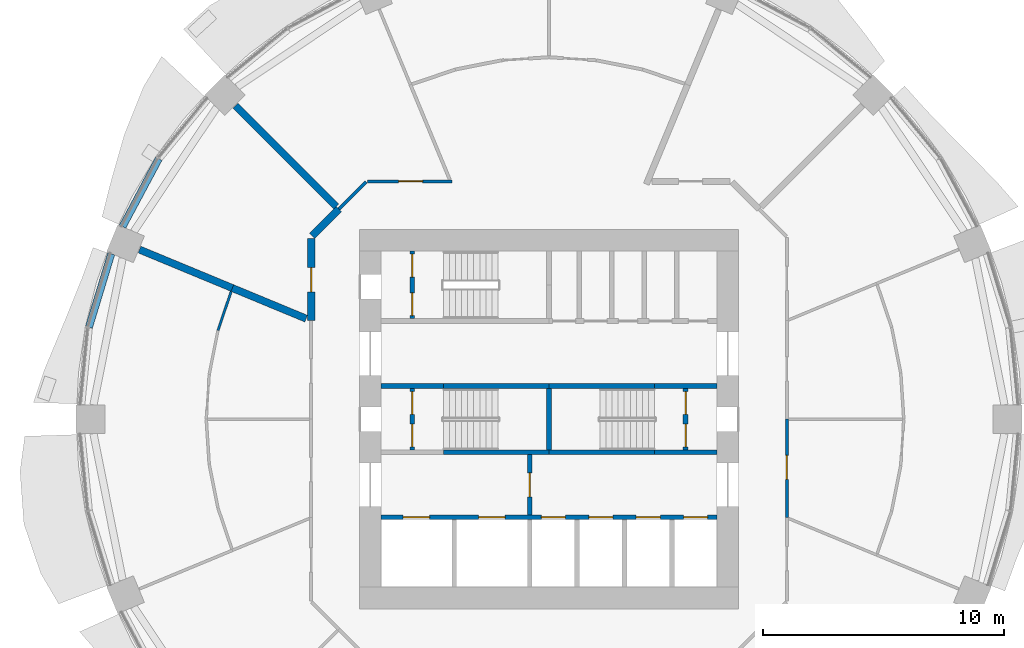
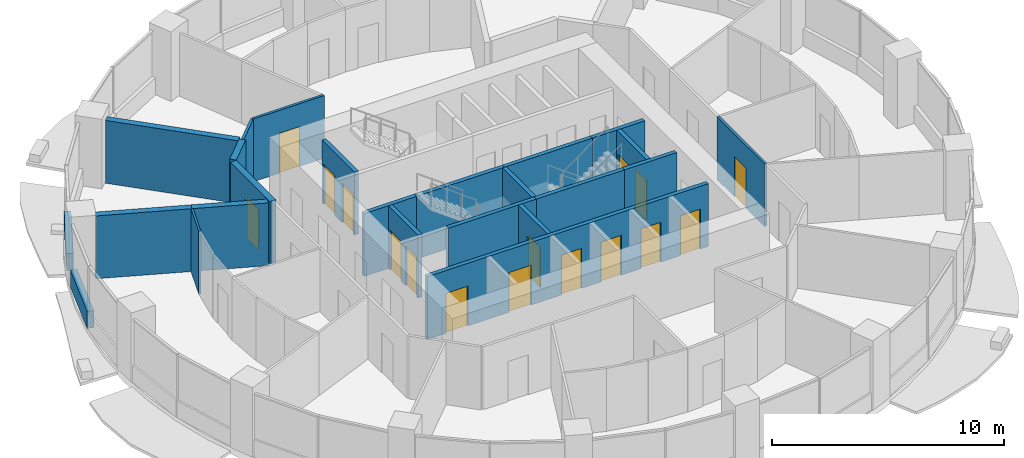
# One storey, part 9 of 15: 24 walls, 16 doors, 16 openings.
"""IFC4 building model written with IfcOpenShell, lengths in metres."""

from ifc_helpers import new_model, si_unit, direction, frame, frame_2d, origin, place, context, subcontext, project, spatial, rectangle, extrude, material, layer, layer_set, type_object, element, fill, save


model = new_model("IFC4")

# Units and contexts
model_context = context("Model", 3, precision=1e-05, world=origin(), true_north=direction((0.0, 1.0)))
body_context = subcontext(model_context, "Body", "Model", "MODEL_VIEW")
ifc_project = project(units=[si_unit("LENGTHUNIT", "METRE"), si_unit("AREAUNIT", "SQUARE_METRE"), si_unit("VOLUMEUNIT", "CUBIC_METRE"), si_unit("PLANEANGLEUNIT", "RADIAN"), si_unit("MASSUNIT", "GRAM", prefix="KILO")], contexts=[model_context])

# Site, building, storey
site_placement = place(None, origin())
site = spatial("IfcSite", under=ifc_project, at=site_placement, CompositionType="ELEMENT")
building_placement = place(site_placement, origin())
building = spatial("IfcBuilding", under=site, at=building_placement, Name="Polderwave Tower", CompositionType="ELEMENT")
storey_placement = place(building_placement, frame((0.0, 0.0, 51.75)))
storey = spatial("IfcBuildingStorey", under=building, at=storey_placement, Name="L13", CompositionType="ELEMENT", Elevation=51.75)

# Wall, opening, door
ifc_material_1 = material(Name="Insulated sandwich panel")
ifc_layer_1 = layer(ifc_material_1, 0.300048828125)
ifc_layer_set_1 = layer_set([ifc_layer_1], Name="Cold room wall 300 mm insulated panel")
wall_type_1 = type_object("IfcWallType", Name="Cold room wall 300 mm insulated panel", PredefinedType="PARTITIONING", material=ifc_layer_set_1)
wall_1_placement = place(storey_placement, frame((-9.8740234375, 4.08984375, 0.0), z_axis=(0.0, 0.0, 1.0), x_axis=(0.0, 1.0, 0.0)))
wall_1 = element("IfcWall", 1, at=wall_1_placement, inside=storey, type_object=wall_type_1, Name="IN-L13-W011", PredefinedType="PARTITIONING", context=body_context, shape_type="SweptSolid", body=[
    extrude(rectangle(XDim=3.419189453125, YDim=0.300048828125, at=frame_2d((1.70947265625, 0.0))), origin(), (0.0, 0.0, 1.0), 3.300048828125),
])
opening_1_placement = place(wall_1_placement, frame((1.199951171875, 0.0, 0.0)))
opening_1 = element("IfcOpeningElement", 2, at=opening_1_placement, cuts=wall_1, Name="Opening L13-D56", PredefinedType="OPENING", context=body_context, shape_type="SweptSolid", body=[
    extrude(rectangle(XDim=1.0, YDim=2.10009765625, at=frame_2d((0.5, 1.050048828125))), frame((0.0, 0.159912109375, 0.0), z_axis=(0.0, -1.0, 0.0), x_axis=(1.0, 0.0, 0.0)), (0.0, 0.0, 1.0), 0.320068359375),
])
ifc_material_2 = material(Name="Steel plant door leaf", Category="steel")
door_type_1 = type_object("IfcDoorType", Name="Plant door FD60 1000 x 2100 steel", OperationType="NOTDEFINED", PredefinedType="DOOR", material=ifc_material_2)
door_1_placement = place(opening_1_placement, origin())
door_1 = element("IfcDoor", 3, at=door_1_placement, inside=storey, type_object=door_type_1, Name="Door L13-D56", OperationType="SINGLE_SWING_LEFT", OverallHeight=2.10009765625, OverallWidth=1.0, PredefinedType="DOOR", context=body_context, shape_type="SweptSolid", body=[
    extrude(rectangle(XDim=1.0, YDim=2.10009765625, at=frame_2d((0.5, 1.050048828125))), frame((0.0, 0.02490234375, 0.0), z_axis=(0.0, -1.0, 0.0), x_axis=(1.0, 0.0, 0.0)), (0.0, 0.0, 1.0), 0.050048828125),
])
fill(opening_1, door_1)

# Walls
wall_2_placement = place(storey_placement, frame((-9.830078125, 7.614990234375, 0.0), z_axis=(0.0, 0.0, 1.0), x_axis=(0.70718471217, 0.707028841614, 0.0)))
element("IfcWall", 4, at=wall_2_placement, inside=storey, type_object=wall_type_1, Name="IN-L13-W012", PredefinedType="PARTITIONING", context=body_context, shape_type="SweptSolid", body=[
    extrude(rectangle(XDim=1.56640625, YDim=0.300048828125, at=frame_2d((0.783203125, 0.0))), origin(), (0.0, 0.0, 1.0), 3.300048828125),
])
wall_3_placement = place(storey_placement, frame((-8.82861328125, 8.82861328125, 0.0), z_axis=(0.0, 0.0, 1.0), x_axis=(-0.707106781187, 0.707106781187, 0.0)))
element("IfcWall", 5, at=wall_3_placement, inside=storey, type_object=wall_type_1, Name="IN-L13-W044", PredefinedType="PARTITIONING", context=body_context, shape_type="SweptSolid", body=[
    extrude(rectangle(XDim=5.914306640625, YDim=0.300048828125, at=frame_2d((2.95703125, 0.0))), origin(), (0.0, 0.0, 1.0), 3.300048828125),
])
wall_4_placement = place(storey_placement, frame((-10.081298828125, 4.17578125, 0.0), z_axis=(0.0, 0.0, 1.0), x_axis=(-0.923876033225, 0.382691880281, 0.0)))
element("IfcWall", 6, at=wall_4_placement, inside=storey, type_object=wall_type_1, Name="IN-L13-W045", PredefinedType="PARTITIONING", context=body_context, shape_type="SweptSolid", body=[
    extrude(rectangle(XDim=3.318115234375, YDim=0.300048828125, at=frame_2d((1.6591796875, 0.0))), origin(), (0.0, 0.0, 1.0), 3.300048828125),
])
wall_5_placement = place(storey_placement, frame((-13.146728515625, 5.445556640625, 0.0), z_axis=(0.0, 0.0, 1.0), x_axis=(-0.923873410436, 0.382698212028, 0.0)))
element("IfcWall", 7, at=wall_5_placement, inside=storey, type_object=wall_type_1, Name="IN-L13-W046", PredefinedType="PARTITIONING", context=body_context, shape_type="SweptSolid", body=[
    extrude(rectangle(XDim=4.170166015625, YDim=0.300048828125, at=frame_2d((2.0849609375, 0.0))), origin(), (0.0, 0.0, 1.0), 3.300048828125),
])
ifc_material_3 = material(Name="Concrete C50/60 (board-marked)", Category="concrete")
ifc_layer_2 = layer(ifc_material_3, 0.300048828125)
ifc_layer_set_2 = layer_set([ifc_layer_2], Name="Concrete spandrel upstand C50/60")
wall_type_2 = type_object("IfcWallType", Name="Concrete spandrel upstand C50/60", PredefinedType="SOLIDWALL", material=ifc_layer_set_2)
wall_6_placement = place(storey_placement, frame((-16.2041015625, 10.808837890625, 0.0), z_axis=(0.0, 0.0, 1.0), x_axis=(-0.471260138764, -0.881994263934, 0.0)))
element("IfcWall", 8, at=wall_6_placement, inside=storey, type_object=wall_type_2, Name="Spandrel L13 7b", PredefinedType="SOLIDWALL", context=body_context, shape_type="SweptSolid", body=[
    extrude(rectangle(XDim=3.1865234375, YDim=0.300048828125, at=frame_2d((1.59326171875, 0.0))), origin(), (0.0, 0.0, 1.0), 0.89990234375),
])
wall_7_placement = place(storey_placement, frame((-18.17529296875, 6.864501953125, 0.0), z_axis=(0.0, 0.0, 1.0), x_axis=(-0.290585541792, -0.956849017819, 0.0)))
element("IfcWall", 9, at=wall_7_placement, inside=storey, type_object=wall_type_2, Name="Spandrel L13 8a", PredefinedType="SOLIDWALL", context=body_context, shape_type="SweptSolid", body=[
    extrude(rectangle(XDim=3.1875, YDim=0.300048828125, at=frame_2d((1.59375, 0.0))), origin(), (0.0, 0.0, 1.0), 0.89990234375),
])

# Wall, opening, door
ifc_material_4 = material(Name="Gypsum board partition")
ifc_layer_3 = layer(ifc_material_4, 0.199951171875)
ifc_layer_set_3 = layer_set([ifc_layer_3], Name="Core room partition 200")
wall_type_3 = type_object("IfcWallType", Name="Core room partition 200", PredefinedType="PARTITIONING", material=ifc_layer_set_3)
wall_8_placement = place(storey_placement, frame((-0.800048828125, -3.97412109375, 0.0), z_axis=(0.0, 0.0, 1.0), x_axis=(0.0, 1.0, 0.0)))
wall_8 = element("IfcWall", 10, at=wall_8_placement, inside=storey, type_object=wall_type_3, Name="L13 fire-fighting lobby wall", PredefinedType="PARTITIONING", context=body_context, shape_type="SweptSolid", body=[
    extrude(rectangle(XDim=2.4990234375, YDim=0.199951171875, at=frame_2d((1.24951171875, 0.0))), origin(), (0.0, 0.0, 1.0), 3.300048828125),
])
opening_2_placement = place(wall_8_placement, frame((0.74951171875, 0.0, 0.0)))
opening_2 = element("IfcOpeningElement", 11, at=opening_2_placement, cuts=wall_8, Name="Opening L13-D13", PredefinedType="OPENING", context=body_context, shape_type="SweptSolid", body=[
    extrude(rectangle(XDim=1.0, YDim=2.10009765625, at=frame_2d((0.5, 1.050048828125))), frame((0.0, 0.10986328125, 0.0), z_axis=(0.0, -1.0, 0.0), x_axis=(1.0, 0.0, 0.0)), (0.0, 0.0, 1.0), 0.219970703125),
])
ifc_material_5 = material(Name="Steel fire door", Category="steel")
door_type_2 = type_object("IfcDoorType", Name="Lobby fire door 1000", OperationType="NOTDEFINED", PredefinedType="DOOR", material=ifc_material_5)
door_2_placement = place(opening_2_placement, frame((1.0, 0.0, 0.0), z_axis=(0.0, 0.0, 1.0), x_axis=(-1.0, 0.0, 0.0)))
door_2 = element("IfcDoor", 12, at=door_2_placement, inside=storey, type_object=door_type_2, Name="Fire-fighting lobby door", OperationType="SINGLE_SWING_LEFT", OverallHeight=2.10009765625, OverallWidth=1.0, PredefinedType="DOOR", context=body_context, shape_type="SweptSolid", body=[
    extrude(rectangle(XDim=1.0, YDim=2.10009765625, at=frame_2d((0.5, 1.050048828125))), frame((0.0, 0.02490234375, 0.0), z_axis=(0.0, -1.0, 0.0), x_axis=(1.0, 0.0, 0.0)), (0.0, 0.0, 1.0), 0.050048828125),
])
fill(opening_2, door_2)

# Wall, openings, doors
wall_9_placement = place(storey_placement, frame((-5.674072265625, -1.27490234375, 0.0), z_axis=(0.0, 0.0, 1.0), x_axis=(0.0, 1.0, 0.0)))
wall_9 = element("IfcWall", 13, at=wall_9_placement, inside=storey, type_object=wall_type_3, Name="L13 smoke lobby wall A", PredefinedType="PARTITIONING", context=body_context, shape_type="SweptSolid", body=[
    extrude(rectangle(XDim=2.5498046875, YDim=0.199951171875, at=frame_2d((1.27490234375, 0.0))), origin(), (0.0, 0.0, 1.0), 3.300048828125),
])
opening_3_placement = place(wall_9_placement, frame((0.125, 0.0, 0.0)))
opening_3 = element("IfcOpeningElement", 14, at=opening_3_placement, cuts=wall_9, Name="Opening L13-D07", PredefinedType="OPENING", context=body_context, shape_type="SweptSolid", body=[
    extrude(rectangle(XDim=0.949951171875, YDim=2.10009765625, at=frame_2d((0.47509765625, 1.050048828125))), frame((0.0, 0.10986328125, 0.0), z_axis=(0.0, -1.0, 0.0), x_axis=(1.0, 0.0, 0.0)), (0.0, 0.0, 1.0), 0.219970703125),
])
opening_4_placement = place(wall_9_placement, frame((1.47509765625, 0.0, 0.0)))
opening_4 = element("IfcOpeningElement", 15, at=opening_4_placement, cuts=wall_9, Name="Opening L13-D08", PredefinedType="OPENING", context=body_context, shape_type="SweptSolid", body=[
    extrude(rectangle(XDim=0.949951171875, YDim=2.10009765625, at=frame_2d((0.47509765625, 1.050048828125))), frame((0.0, 0.10986328125, 0.0), z_axis=(0.0, -1.0, 0.0), x_axis=(1.0, 0.0, 0.0)), (0.0, 0.0, 1.0), 0.219970703125),
])
door_type_3 = type_object("IfcDoorType", Name="Smoke lobby door 950", OperationType="NOTDEFINED", PredefinedType="DOOR", material=ifc_material_5)
door_3_placement = place(opening_3_placement, origin())
door_3 = element("IfcDoor", 16, at=door_3_placement, inside=storey, type_object=door_type_3, Name="Stair A smoke lobby inner door", OperationType="SINGLE_SWING_LEFT", OverallHeight=2.10009765625, OverallWidth=0.949951171875, PredefinedType="DOOR", context=body_context, shape_type="SweptSolid", body=[
    extrude(rectangle(XDim=0.949951171875, YDim=2.10009765625, at=frame_2d((0.47509765625, 1.050048828125))), frame((0.0, 0.02490234375, 0.0), z_axis=(0.0, -1.0, 0.0), x_axis=(1.0, 0.0, 0.0)), (0.0, 0.0, 1.0), 0.050048828125),
])
fill(opening_3, door_3)
door_4_placement = place(opening_4_placement, origin())
door_4 = element("IfcDoor", 17, at=door_4_placement, inside=storey, type_object=door_type_3, Name="Stair A smoke lobby inner door", OperationType="SINGLE_SWING_RIGHT", OverallHeight=2.10009765625, OverallWidth=0.949951171875, PredefinedType="DOOR", context=body_context, shape_type="SweptSolid", body=[
    extrude(rectangle(XDim=0.949951171875, YDim=2.10009765625, at=frame_2d((0.47509765625, 1.050048828125))), frame((0.0, 0.02490234375, 0.0), z_axis=(0.0, -1.0, 0.0), x_axis=(1.0, 0.0, 0.0)), (0.0, 0.0, 1.0), 0.050048828125),
])
fill(opening_4, door_4)

wall_10_placement = place(storey_placement, frame((5.674072265625, -1.27490234375, 0.0), z_axis=(0.0, 0.0, 1.0), x_axis=(0.0, 1.0, 0.0)))
wall_10 = element("IfcWall", 18, at=wall_10_placement, inside=storey, type_object=wall_type_3, Name="L13 smoke lobby wall B", PredefinedType="PARTITIONING", context=body_context, shape_type="SweptSolid", body=[
    extrude(rectangle(XDim=2.5498046875, YDim=0.199951171875, at=frame_2d((1.27490234375, 0.0))), origin(), (0.0, 0.0, 1.0), 3.300048828125),
])
opening_5_placement = place(wall_10_placement, frame((0.125, 0.0, 0.0)))
opening_5 = element("IfcOpeningElement", 19, at=opening_5_placement, cuts=wall_10, Name="Opening L13-D09", PredefinedType="OPENING", context=body_context, shape_type="SweptSolid", body=[
    extrude(rectangle(XDim=0.949951171875, YDim=2.10009765625, at=frame_2d((0.47509765625, 1.050048828125))), frame((0.0, 0.10986328125, 0.0), z_axis=(0.0, -1.0, 0.0), x_axis=(1.0, 0.0, 0.0)), (0.0, 0.0, 1.0), 0.219970703125),
])
opening_6_placement = place(wall_10_placement, frame((1.47509765625, 0.0, 0.0)))
opening_6 = element("IfcOpeningElement", 20, at=opening_6_placement, cuts=wall_10, Name="Opening L13-D10", PredefinedType="OPENING", context=body_context, shape_type="SweptSolid", body=[
    extrude(rectangle(XDim=0.949951171875, YDim=2.10009765625, at=frame_2d((0.47509765625, 1.050048828125))), frame((0.0, 0.10986328125, 0.0), z_axis=(0.0, -1.0, 0.0), x_axis=(1.0, 0.0, 0.0)), (0.0, 0.0, 1.0), 0.219970703125),
])
door_5_placement = place(opening_5_placement, frame((0.949951171875, 0.0, 0.0), z_axis=(0.0, 0.0, 1.0), x_axis=(-1.0, 0.0, 0.0)))
door_5 = element("IfcDoor", 21, at=door_5_placement, inside=storey, type_object=door_type_3, Name="Stair B smoke lobby inner door", OperationType="SINGLE_SWING_RIGHT", OverallHeight=2.10009765625, OverallWidth=0.949951171875, PredefinedType="DOOR", context=body_context, shape_type="SweptSolid", body=[
    extrude(rectangle(XDim=0.949951171875, YDim=2.10009765625, at=frame_2d((0.47509765625, 1.050048828125))), frame((0.0, 0.02490234375, 0.0), z_axis=(0.0, -1.0, 0.0), x_axis=(1.0, 0.0, 0.0)), (0.0, 0.0, 1.0), 0.050048828125),
])
fill(opening_5, door_5)
door_6_placement = place(opening_6_placement, frame((0.949951171875, 0.0, 0.0), z_axis=(0.0, 0.0, 1.0), x_axis=(-1.0, 0.0, 0.0)))
door_6 = element("IfcDoor", 22, at=door_6_placement, inside=storey, type_object=door_type_3, Name="Stair B smoke lobby inner door", OperationType="SINGLE_SWING_LEFT", OverallHeight=2.10009765625, OverallWidth=0.949951171875, PredefinedType="DOOR", context=body_context, shape_type="SweptSolid", body=[
    extrude(rectangle(XDim=0.949951171875, YDim=2.10009765625, at=frame_2d((0.47509765625, 1.050048828125))), frame((0.0, 0.02490234375, 0.0), z_axis=(0.0, -1.0, 0.0), x_axis=(1.0, 0.0, 0.0)), (0.0, 0.0, 1.0), 0.050048828125),
])
fill(opening_6, door_6)

wall_11_placement = place(storey_placement, frame((-5.674072265625, 4.174072265625, 0.0), z_axis=(0.0, 0.0, 1.0), x_axis=(0.0, 1.0, 0.0)))
wall_11 = element("IfcWall", 23, at=wall_11_placement, inside=storey, type_object=wall_type_3, Name="L13 smoke lobby wall C", PredefinedType="PARTITIONING", context=body_context, shape_type="SweptSolid", body=[
    extrude(rectangle(XDim=2.800048828125, YDim=0.199951171875, at=frame_2d((1.39990234375, 0.0))), origin(), (0.0, 0.0, 1.0), 3.300048828125),
])
opening_7_placement = place(wall_11_placement, frame((0.125, 0.0, 0.0)))
opening_7 = element("IfcOpeningElement", 24, at=opening_7_placement, cuts=wall_11, Name="Opening L13-D11", PredefinedType="OPENING", context=body_context, shape_type="SweptSolid", body=[
    extrude(rectangle(XDim=0.949951171875, YDim=2.10009765625, at=frame_2d((0.47509765625, 1.050048828125))), frame((0.0, 0.10986328125, 0.0), z_axis=(0.0, -1.0, 0.0), x_axis=(1.0, 0.0, 0.0)), (0.0, 0.0, 1.0), 0.219970703125),
])
opening_8_placement = place(wall_11_placement, frame((1.72509765625, 0.0, 0.0)))
opening_8 = element("IfcOpeningElement", 25, at=opening_8_placement, cuts=wall_11, Name="Opening L13-D12", PredefinedType="OPENING", context=body_context, shape_type="SweptSolid", body=[
    extrude(rectangle(XDim=0.949951171875, YDim=2.10009765625, at=frame_2d((0.47509765625, 1.050048828125))), frame((0.0, 0.10986328125, 0.0), z_axis=(0.0, -1.0, 0.0), x_axis=(1.0, 0.0, 0.0)), (0.0, 0.0, 1.0), 0.219970703125),
])
door_7_placement = place(opening_7_placement, origin())
door_7 = element("IfcDoor", 26, at=door_7_placement, inside=storey, type_object=door_type_3, Name="Stair C smoke lobby inner door", OperationType="SINGLE_SWING_LEFT", OverallHeight=2.10009765625, OverallWidth=0.949951171875, PredefinedType="DOOR", context=body_context, shape_type="SweptSolid", body=[
    extrude(rectangle(XDim=0.949951171875, YDim=2.10009765625, at=frame_2d((0.47509765625, 1.050048828125))), frame((0.0, 0.02490234375, 0.0), z_axis=(0.0, -1.0, 0.0), x_axis=(1.0, 0.0, 0.0)), (0.0, 0.0, 1.0), 0.050048828125),
])
fill(opening_7, door_7)
door_8_placement = place(opening_8_placement, origin())
door_8 = element("IfcDoor", 27, at=door_8_placement, inside=storey, type_object=door_type_3, Name="Stair C smoke lobby inner door", OperationType="SINGLE_SWING_RIGHT", OverallHeight=2.10009765625, OverallWidth=0.949951171875, PredefinedType="DOOR", context=body_context, shape_type="SweptSolid", body=[
    extrude(rectangle(XDim=0.949951171875, YDim=2.10009765625, at=frame_2d((0.47509765625, 1.050048828125))), frame((0.0, 0.02490234375, 0.0), z_axis=(0.0, -1.0, 0.0), x_axis=(1.0, 0.0, 0.0)), (0.0, 0.0, 1.0), 0.050048828125),
])
fill(opening_8, door_8)

ifc_material_6 = material(Name="Concrete C50/60", Category="concrete")
ifc_layer_4 = layer(ifc_material_6, 0.199951171875)
ifc_layer_set_4 = layer_set([ifc_layer_4], Name="Core web wall 200")
wall_type_4 = type_object("IfcWallType", Name="Core web wall 200", PredefinedType="SHEAR", material=ifc_layer_set_4)
wall_12_placement = place(storey_placement, frame((-6.97412109375, -4.073974609375, 0.0), z_axis=(0.0, 0.0, 1.0), x_axis=(1.0, 0.0, 0.0)))
wall_12 = element("IfcWall", 28, at=wall_12_placement, inside=storey, type_object=wall_type_4, Name="L13 south front wall", PredefinedType="SHEAR", context=body_context, shape_type="SweptSolid", body=[
    extrude(rectangle(XDim=13.9482421875, YDim=0.199951171875, at=frame_2d((6.97412109375, 0.0))), origin(), (0.0, 0.0, 1.0), 3.300048828125),
])
opening_9_placement = place(wall_12_placement, frame((0.91845703125, 0.0, 0.0)))
opening_9 = element("IfcOpeningElement", 29, at=opening_9_placement, cuts=wall_12, Name="Opening L13-D01", PredefinedType="OPENING", context=body_context, shape_type="SweptSolid", body=[
    extrude(rectangle(XDim=1.10009765625, YDim=2.10009765625, at=frame_2d((0.550048828125, 1.050048828125))), frame((0.0, 0.10986328125, 0.0), z_axis=(0.0, -1.0, 0.0), x_axis=(1.0, 0.0, 0.0)), (0.0, 0.0, 1.0), 0.219970703125),
])
opening_10_placement = place(wall_12_placement, frame((4.055419921875, 0.0, 0.0)))
opening_10 = element("IfcOpeningElement", 30, at=opening_10_placement, cuts=wall_12, Name="Opening L13-D02", PredefinedType="OPENING", context=body_context, shape_type="SweptSolid", body=[
    extrude(rectangle(XDim=1.10009765625, YDim=2.10009765625, at=frame_2d((0.550048828125, 1.050048828125))), frame((0.0, 0.10986328125, 0.0), z_axis=(0.0, -1.0, 0.0), x_axis=(1.0, 0.0, 0.0)), (0.0, 0.0, 1.0), 0.219970703125),
])
opening_11_placement = place(wall_12_placement, frame((6.658203125, 0.0, 0.0)))
opening_11 = element("IfcOpeningElement", 31, at=opening_11_placement, cuts=wall_12, Name="Opening L13-D03", PredefinedType="OPENING", context=body_context, shape_type="SweptSolid", body=[
    extrude(rectangle(XDim=1.0, YDim=2.10009765625, at=frame_2d((0.5, 1.050048828125))), frame((0.0, 0.10986328125, 0.0), z_axis=(0.0, -1.0, 0.0), x_axis=(1.0, 0.0, 0.0)), (0.0, 0.0, 1.0), 0.219970703125),
])
opening_12_placement = place(wall_12_placement, frame((8.626708984375, 0.0, 0.0)))
opening_12 = element("IfcOpeningElement", 32, at=opening_12_placement, cuts=wall_12, Name="Opening L13-D04", PredefinedType="OPENING", context=body_context, shape_type="SweptSolid", body=[
    extrude(rectangle(XDim=1.0, YDim=2.10009765625, at=frame_2d((0.5, 1.050048828125))), frame((0.0, 0.10986328125, 0.0), z_axis=(0.0, -1.0, 0.0), x_axis=(1.0, 0.0, 0.0)), (0.0, 0.0, 1.0), 0.219970703125),
])
opening_13_placement = place(wall_12_placement, frame((10.59521484375, 0.0, 0.0)))
opening_13 = element("IfcOpeningElement", 33, at=opening_13_placement, cuts=wall_12, Name="Opening L13-D05", PredefinedType="OPENING", context=body_context, shape_type="SweptSolid", body=[
    extrude(rectangle(XDim=1.0, YDim=2.10009765625, at=frame_2d((0.5, 1.050048828125))), frame((0.0, 0.10986328125, 0.0), z_axis=(0.0, -1.0, 0.0), x_axis=(1.0, 0.0, 0.0)), (0.0, 0.0, 1.0), 0.219970703125),
])
opening_14_placement = place(wall_12_placement, frame((12.563720703125, 0.0, 0.0)))
opening_14 = element("IfcOpeningElement", 34, at=opening_14_placement, cuts=wall_12, Name="Opening L13-D06", PredefinedType="OPENING", context=body_context, shape_type="SweptSolid", body=[
    extrude(rectangle(XDim=1.0, YDim=2.10009765625, at=frame_2d((0.5, 1.050048828125))), frame((0.0, 0.10986328125, 0.0), z_axis=(0.0, -1.0, 0.0), x_axis=(1.0, 0.0, 0.0)), (0.0, 0.0, 1.0), 0.219970703125),
])
ifc_material_7 = material(Name="Stainless steel", Category="steel")
door_type_4 = type_object("IfcDoorType", Name="Fire-fighting lift landing door 1100", OperationType="DOUBLE_DOOR_SLIDING", PredefinedType="DOOR", material=ifc_material_7)
door_9_placement = place(opening_9_placement, origin())
door_9 = element("IfcDoor", 35, at=door_9_placement, inside=storey, type_object=door_type_4, Name="Fire-fighting lift FF1 landing door", OperationType="DOUBLE_DOOR_SLIDING", OverallHeight=2.10009765625, OverallWidth=1.10009765625, PredefinedType="DOOR", context=body_context, shape_type="SweptSolid", body=[
    extrude(rectangle(XDim=1.10009765625, YDim=2.10009765625, at=frame_2d((0.550048828125, 1.050048828125))), frame((0.0, 0.02490234375, 0.0), z_axis=(0.0, -1.0, 0.0), x_axis=(1.0, 0.0, 0.0)), (0.0, 0.0, 1.0), 0.050048828125),
])
fill(opening_9, door_9)
door_10_placement = place(opening_10_placement, origin())
door_10 = element("IfcDoor", 36, at=door_10_placement, inside=storey, type_object=door_type_4, Name="Fire-fighting lift FF2 landing door", OperationType="DOUBLE_DOOR_SLIDING", OverallHeight=2.10009765625, OverallWidth=1.10009765625, PredefinedType="DOOR", context=body_context, shape_type="SweptSolid", body=[
    extrude(rectangle(XDim=1.10009765625, YDim=2.10009765625, at=frame_2d((0.550048828125, 1.050048828125))), frame((0.0, 0.02490234375, 0.0), z_axis=(0.0, -1.0, 0.0), x_axis=(1.0, 0.0, 0.0)), (0.0, 0.0, 1.0), 0.050048828125),
])
fill(opening_10, door_10)
door_type_5 = type_object("IfcDoorType", Name="Lift landing door 1000", OperationType="DOUBLE_DOOR_SLIDING", PredefinedType="DOOR", material=ifc_material_7)
door_11_placement = place(opening_11_placement, origin())
door_11 = element("IfcDoor", 37, at=door_11_placement, inside=storey, type_object=door_type_5, Name="Lift LL1 landing door", OperationType="DOUBLE_DOOR_SLIDING", OverallHeight=2.10009765625, OverallWidth=1.0, PredefinedType="DOOR", context=body_context, shape_type="SweptSolid", body=[
    extrude(rectangle(XDim=1.0, YDim=2.10009765625, at=frame_2d((0.5, 1.050048828125))), frame((0.0, 0.02490234375, 0.0), z_axis=(0.0, -1.0, 0.0), x_axis=(1.0, 0.0, 0.0)), (0.0, 0.0, 1.0), 0.050048828125),
])
fill(opening_11, door_11)
door_12_placement = place(opening_12_placement, origin())
door_12 = element("IfcDoor", 38, at=door_12_placement, inside=storey, type_object=door_type_5, Name="Lift LL2 landing door", OperationType="DOUBLE_DOOR_SLIDING", OverallHeight=2.10009765625, OverallWidth=1.0, PredefinedType="DOOR", context=body_context, shape_type="SweptSolid", body=[
    extrude(rectangle(XDim=1.0, YDim=2.10009765625, at=frame_2d((0.5, 1.050048828125))), frame((0.0, 0.02490234375, 0.0), z_axis=(0.0, -1.0, 0.0), x_axis=(1.0, 0.0, 0.0)), (0.0, 0.0, 1.0), 0.050048828125),
])
fill(opening_12, door_12)
door_13_placement = place(opening_13_placement, origin())
door_13 = element("IfcDoor", 39, at=door_13_placement, inside=storey, type_object=door_type_5, Name="Lift LL3 landing door", OperationType="DOUBLE_DOOR_SLIDING", OverallHeight=2.10009765625, OverallWidth=1.0, PredefinedType="DOOR", context=body_context, shape_type="SweptSolid", body=[
    extrude(rectangle(XDim=1.0, YDim=2.10009765625, at=frame_2d((0.5, 1.050048828125))), frame((0.0, 0.02490234375, 0.0), z_axis=(0.0, -1.0, 0.0), x_axis=(1.0, 0.0, 0.0)), (0.0, 0.0, 1.0), 0.050048828125),
])
fill(opening_13, door_13)
door_14_placement = place(opening_14_placement, origin())
door_14 = element("IfcDoor", 40, at=door_14_placement, inside=storey, type_object=door_type_5, Name="Lift LL4 landing door", OperationType="DOUBLE_DOOR_SLIDING", OverallHeight=2.10009765625, OverallWidth=1.0, PredefinedType="DOOR", context=body_context, shape_type="SweptSolid", body=[
    extrude(rectangle(XDim=1.0, YDim=2.10009765625, at=frame_2d((0.5, 1.050048828125))), frame((0.0, 0.02490234375, 0.0), z_axis=(0.0, -1.0, 0.0), x_axis=(1.0, 0.0, 0.0)), (0.0, 0.0, 1.0), 0.050048828125),
])
fill(opening_14, door_14)

# Walls
for number, where, z_axis, x_axis, name in (
    (41, (-4.3740234375, -1.375, 0.0), (0.0, 0.0, 1.0), (1.0, 0.0, 0.0), "L13 south stair wall 2"),
    (42, (0.0, -1.375, 0.0), (0.0, 0.0, 1.0), (1.0, 0.0, 0.0), "L13 south stair wall 3"),
):
    element("IfcWall", number, at=place(storey_placement, frame(where, z_axis=z_axis, x_axis=x_axis)), inside=storey, type_object=wall_type_4, Name=name, PredefinedType="SHEAR", context=body_context, shape_type="SweptSolid", body=[
        extrude(rectangle(XDim=4.3740234375, YDim=0.199951171875, at=frame_2d((2.18701171875, 0.0))), origin(), (0.0, 0.0, 1.0), 3.300048828125),
    ])
for number, where, z_axis, x_axis, name in (
    (43, (4.3740234375, -1.375, 0.0), (0.0, 0.0, 1.0), (1.0, 0.0, 0.0), "L13 south stair wall 4"),
    (44, (-6.97412109375, 1.375, 0.0), (0.0, 0.0, 1.0), (1.0, 0.0, 0.0), "L13 north stair wall 1"),
):
    element("IfcWall", number, at=place(storey_placement, frame(where, z_axis=z_axis, x_axis=x_axis)), inside=storey, type_object=wall_type_4, Name=name, PredefinedType="SHEAR", context=body_context, shape_type="SweptSolid", body=[
        extrude(rectangle(XDim=2.60009765625, YDim=0.199951171875, at=frame_2d((1.300048828125, 0.0))), origin(), (0.0, 0.0, 1.0), 3.300048828125),
    ])
for number, where, z_axis, x_axis, name in (
    (45, (-4.3740234375, 1.375, 0.0), (0.0, 0.0, 1.0), (1.0, 0.0, 0.0), "L13 north stair wall 2"),
    (46, (0.0, 1.375, 0.0), (0.0, 0.0, 1.0), (1.0, 0.0, 0.0), "L13 north stair wall 3"),
):
    element("IfcWall", number, at=place(storey_placement, frame(where, z_axis=z_axis, x_axis=x_axis)), inside=storey, type_object=wall_type_4, Name=name, PredefinedType="SHEAR", context=body_context, shape_type="SweptSolid", body=[
        extrude(rectangle(XDim=4.3740234375, YDim=0.199951171875, at=frame_2d((2.18701171875, 0.0))), origin(), (0.0, 0.0, 1.0), 3.300048828125),
    ])
wall_13_placement = place(storey_placement, frame((4.3740234375, 1.375, 0.0), z_axis=(0.0, 0.0, 1.0), x_axis=(1.0, 0.0, 0.0)))
element("IfcWall", 47, at=wall_13_placement, inside=storey, type_object=wall_type_4, Name="L13 north stair wall 4", PredefinedType="SHEAR", context=body_context, shape_type="SweptSolid", body=[
    extrude(rectangle(XDim=2.60009765625, YDim=0.199951171875, at=frame_2d((1.300048828125, 0.0))), origin(), (0.0, 0.0, 1.0), 3.300048828125),
])
wall_14_placement = place(storey_placement, frame((0.0, -1.27490234375, 0.0), z_axis=(0.0, 0.0, 1.0), x_axis=(0.0, 1.0, 0.0)))
element("IfcWall", 48, at=wall_14_placement, inside=storey, type_object=wall_type_4, Name="L13 wall between the stairs", PredefinedType="SHEAR", context=body_context, shape_type="SweptSolid", body=[
    extrude(rectangle(XDim=2.5498046875, YDim=0.199951171875, at=frame_2d((1.27490234375, 0.0))), origin(), (0.0, 0.0, 1.0), 3.300048828125),
])

# Wall, opening, door
ifc_material_8 = material(Name="Fire-resisting board on steel studs", Category="steel")
ifc_layer_5 = layer(ifc_material_8, 0.125)
ifc_layer_set_5 = layer_set([ifc_layer_5], Name="Corridor wall 125 mm EI 60")
wall_type_5 = type_object("IfcWallType", Name="Corridor wall 125 mm EI 60", PredefinedType="PARTITIONING", material=ifc_layer_set_5)
wall_15_placement = place(storey_placement, frame((9.8740234375, 0.0, 0.0), z_axis=(0.0, 0.0, 1.0), x_axis=(0.0, -1.0, 0.0)))
wall_15 = element("IfcWall", 49, at=wall_15_placement, inside=storey, type_object=wall_type_5, Name="IN-L13-W006", PredefinedType="PARTITIONING", context=body_context, shape_type="SweptSolid", body=[
    extrude(rectangle(XDim=4.08984375, YDim=0.125, at=frame_2d((2.044921875, 0.0))), origin(), (0.0, 0.0, 1.0), 3.300048828125),
])
opening_15_placement = place(wall_15_placement, frame((1.5, 0.0, 0.0)))
opening_15 = element("IfcOpeningElement", 50, at=opening_15_placement, cuts=wall_15, Name="Opening L13-D53", PredefinedType="OPENING", context=body_context, shape_type="SweptSolid", body=[
    extrude(rectangle(XDim=1.0, YDim=2.10009765625, at=frame_2d((0.5, 1.050048828125))), frame((0.0, 0.072509765625, 0.0), z_axis=(0.0, -1.0, 0.0), x_axis=(1.0, 0.0, 0.0)), (0.0, 0.0, 1.0), 0.14501953125),
])
ifc_material_9 = material(Name="Timber fire door leaf", Category="wood")
door_type_6 = type_object("IfcDoorType", Name="Fire door FD30S 1000 x 2100", OperationType="NOTDEFINED", PredefinedType="DOOR", material=ifc_material_9)
door_15_placement = place(opening_15_placement, origin())
door_15 = element("IfcDoor", 51, at=door_15_placement, inside=storey, type_object=door_type_6, Name="Door L13-D53", OperationType="SINGLE_SWING_LEFT", OverallHeight=2.10009765625, OverallWidth=1.0, PredefinedType="DOOR", context=body_context, shape_type="SweptSolid", body=[
    extrude(rectangle(XDim=1.0, YDim=2.10009765625, at=frame_2d((0.5, 1.050048828125))), frame((0.0, 0.02490234375, 0.0), z_axis=(0.0, -1.0, 0.0), x_axis=(1.0, 0.0, 0.0)), (0.0, 0.0, 1.0), 0.050048828125),
])
fill(opening_15, door_15)

# Wall
wall_16_placement = place(storey_placement, frame((-8.722412109375, 8.722412109375, 0.0), z_axis=(0.0, 0.0, 1.0), x_axis=(0.707030604857, 0.70718294931, 0.0)))
element("IfcWall", 52, at=wall_16_placement, inside=storey, type_object=wall_type_5, Name="IN-L13-W009", PredefinedType="PARTITIONING", context=body_context, shape_type="SweptSolid", body=[
    extrude(rectangle(XDim=1.6025390625, YDim=0.125, at=frame_2d((0.80126953125, 0.0))), origin(), (0.0, 0.0, 1.0), 3.300048828125),
])

# Wall, opening, door
wall_17_placement = place(storey_placement, frame((-7.545166015625, 9.8740234375, 0.0), z_axis=(0.0, 0.0, 1.0), x_axis=(1.0, 0.0, 0.0)))
wall_17 = element("IfcWall", 53, at=wall_17_placement, inside=storey, type_object=wall_type_5, Name="IN-L13-W010", PredefinedType="PARTITIONING", context=body_context, shape_type="SweptSolid", body=[
    extrude(rectangle(XDim=3.517822265625, YDim=0.125, at=frame_2d((1.7587890625, 0.0))), origin(), (0.0, 0.0, 1.0), 3.300048828125),
])
opening_16_placement = place(wall_17_placement, frame((1.300048828125, 0.0, 0.0)))
opening_16 = element("IfcOpeningElement", 54, at=opening_16_placement, cuts=wall_17, Name="Opening L13-D55", PredefinedType="OPENING", context=body_context, shape_type="SweptSolid", body=[
    extrude(rectangle(XDim=1.0, YDim=2.10009765625, at=frame_2d((0.5, 1.050048828125))), frame((0.0, 0.072509765625, 0.0), z_axis=(0.0, -1.0, 0.0), x_axis=(1.0, 0.0, 0.0)), (0.0, 0.0, 1.0), 0.14501953125),
])
door_16_placement = place(opening_16_placement, origin())
door_16 = element("IfcDoor", 55, at=door_16_placement, inside=storey, type_object=door_type_6, Name="Door L13-D55", OperationType="SINGLE_SWING_RIGHT", OverallHeight=2.10009765625, OverallWidth=1.0, PredefinedType="DOOR", context=body_context, shape_type="SweptSolid", body=[
    extrude(rectangle(XDim=1.0, YDim=2.10009765625, at=frame_2d((0.5, 1.050048828125))), frame((0.0, 0.02490234375, 0.0), z_axis=(0.0, -1.0, 0.0), x_axis=(1.0, 0.0, 0.0)), (0.0, 0.0, 1.0), 0.050048828125),
])
fill(opening_16, door_16)

# Wall
ifc_material_10 = material(Name="Plasterboard on steel studs", Category="steel")
ifc_layer_6 = layer(ifc_material_10, 0.10009765625)
ifc_layer_set_6 = layer_set([ifc_layer_6], Name="Partition 100 mm plasterboard on steel studs")
wall_type_6 = type_object("IfcWallType", Name="Partition 100 mm plasterboard on steel studs", PredefinedType="PARTITIONING", material=ifc_layer_set_6)
wall_18_placement = place(storey_placement, frame((-13.743896484375, 3.68603515625, 0.0), z_axis=(0.0, 0.0, 1.0), x_axis=(0.321250473512, 0.946994262532, 0.0)))
element("IfcWall", 56, at=wall_18_placement, inside=storey, type_object=wall_type_6, Name="IN-L13-W049", PredefinedType="PARTITIONING", context=body_context, shape_type="SweptSolid", body=[
    extrude(rectangle(XDim=1.70458984375, YDim=0.10009765625, at=frame_2d((0.852294921875, 0.0))), origin(), (0.0, 0.0, 1.0), 3.300048828125),
])

save(model, "model.ifc")
